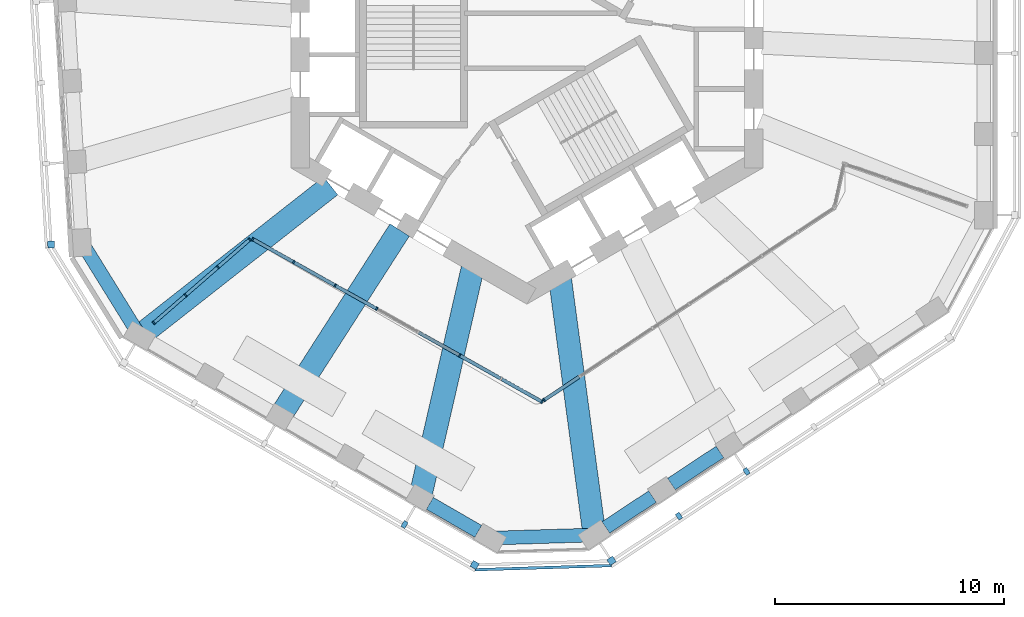
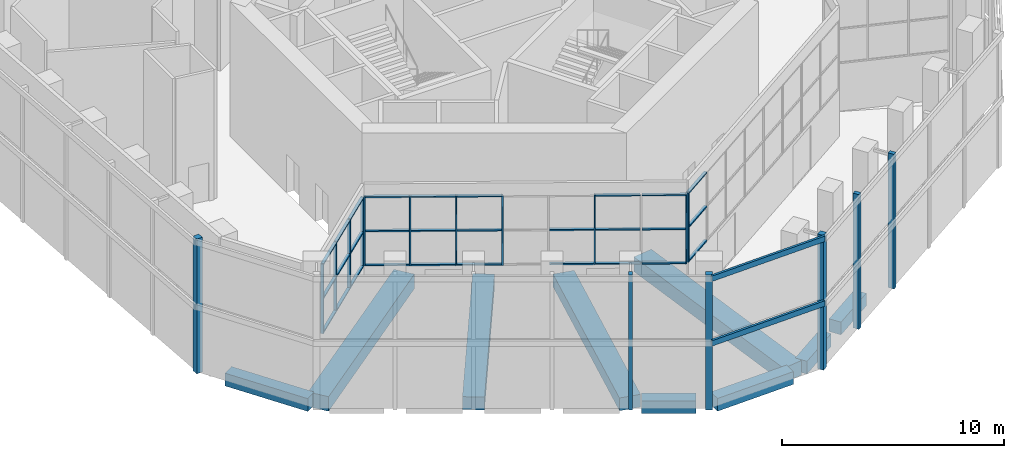
# One storey, part 2 of 17: 48 members, 9 beams, 7 elements without a shape of their own.
"""IFC4 building model written with IfcOpenShell, lengths in metres."""

from ifc_helpers import new_model, si_unit, direction, frame, origin, origin_2d, place, context, subcontext, project, spatial, rectangle, extrude, material, material_profile, profile_set, type_object, element, aggregate, save


model = new_model("IFC4")

# Units and contexts
model_context = context("Model", 3, precision=1e-05, world=origin(), true_north=direction((0.0, 1.0)))
body_context = subcontext(model_context, "Body", "Model", "MODEL_VIEW")
ifc_project = project(units=[si_unit("LENGTHUNIT", "METRE"), si_unit("AREAUNIT", "SQUARE_METRE"), si_unit("VOLUMEUNIT", "CUBIC_METRE"), si_unit("PLANEANGLEUNIT", "RADIAN"), si_unit("MASSUNIT", "GRAM", prefix="KILO")], contexts=[model_context])

# Site, building, storey
site_placement = place(None, origin())
site = spatial("IfcSite", under=ifc_project, at=site_placement, CompositionType="ELEMENT")
building_placement = place(site_placement, origin())
building = spatial("IfcBuilding", under=site, at=building_placement, Name="Vanh Sen Convention Tower", CompositionType="ELEMENT")
storey_placement = place(building_placement, frame((0.0, 0.0, 214.300048828125)))
storey = spatial("IfcBuildingStorey", under=building, at=storey_placement, Name="L53", CompositionType="ELEMENT", Elevation=214.300048828125)

# Curtain wall, member
ifc_material_1 = material(Name="Aluminium structural glazing system", Category="aluminium")
curtain_wall_type_1 = type_object("IfcCurtainWallType", Name="Sky garden structural glazing", PredefinedType="NOTDEFINED", material=ifc_material_1)
curtain_wall_1_placement = place(storey_placement, origin())
curtain_wall_1 = element("IfcCurtainWall", 1, at=curtain_wall_1_placement, inside=storey, type_object=curtain_wall_type_1, Name="Winter garden glazing 3 L53", PredefinedType="NOTDEFINED")
ifc_material_2 = material(Name="Aluminium mullion", Category="aluminium")
ifc_material_profile_1 = material_profile(ifc_material_2, rectangle(XDim=0.14990234375, YDim=0.070068359375, at=origin_2d()), Name="Garden glazing mullion 70 x 150")
ifc_profile_set_1 = profile_set([ifc_material_profile_1], Name="Aluminium mullion")
member_type_1 = type_object("IfcMemberType", Name="Garden glazing mullion 70 x 150", PredefinedType="MULLION", material=ifc_profile_set_1)
member_1_placement = place(storey_placement, frame((0.753662109375, -16.080078125, 2.599853515625), z_axis=(0.0, 0.0, 1.0), x_axis=(0.551932223653, -0.833888973721, 0.0)))
member_1 = element("IfcMember", 2, at=member_1_placement, type_object=member_type_1, Name="CW5 mullion 9", PredefinedType="MULLION", context=body_context, shape_type="SweptSolid", body=[
    extrude(rectangle(XDim=0.14990234375, YDim=0.070068359375, at=origin_2d()), origin(), (0.0, 0.0, 1.0), 3.820068359375),
])

# Curtain wall, members
curtain_wall_2_placement = place(storey_placement, origin())
curtain_wall_2 = element("IfcCurtainWall", 3, at=curtain_wall_2_placement, inside=storey, type_object=curtain_wall_type_1, Name="Winter garden glazing 4 L53", PredefinedType="NOTDEFINED")
member_2_placement = place(storey_placement, frame((0.65966796875, -16.154052734375, 2.599853515625), z_axis=(0.0, 0.0, 1.0), x_axis=(-0.490119958968, -0.871654992426, 0.0)))
member_2 = element("IfcMember", 4, at=member_2_placement, type_object=member_type_1, Name="CW5 mullion 1", PredefinedType="MULLION", context=body_context, shape_type="SweptSolid", body=[
    extrude(rectangle(XDim=0.14990234375, YDim=0.070068359375, at=origin_2d()), origin(), (0.0, 0.0, 1.0), 3.820068359375),
])
member_3_placement = place(storey_placement, frame((-2.933837890625, -14.133544921875, 2.599853515625), z_axis=(0.0, 0.0, 1.0), x_axis=(-0.490119958968, -0.871654992426, 0.0)))
member_3 = element("IfcMember", 5, at=member_3_placement, type_object=member_type_1, Name="CW5 mullion 3", PredefinedType="MULLION", context=body_context, shape_type="SweptSolid", body=[
    extrude(rectangle(XDim=0.14990234375, YDim=0.070068359375, at=origin_2d()), origin(), (0.0, 0.0, 1.0), 3.820068359375),
])
member_4_placement = place(storey_placement, frame((-6.557861328125, -12.095703125, 2.599853515625), z_axis=(0.0, 0.0, 1.0), x_axis=(-0.490119958968, -0.871654992426, 0.0)))
member_4 = element("IfcMember", 6, at=member_4_placement, type_object=member_type_1, Name="CW5 mullion 5", PredefinedType="MULLION", context=body_context, shape_type="SweptSolid", body=[
    extrude(rectangle(XDim=0.14990234375, YDim=0.070068359375, at=origin_2d()), origin(), (0.0, 0.0, 1.0), 3.820068359375),
])
member_5_placement = place(storey_placement, frame((-8.369873046875, -11.076904296875, 2.599853515625), z_axis=(0.0, 0.0, 1.0), x_axis=(-0.490119958968, -0.871654992426, 0.0)))
member_5 = element("IfcMember", 7, at=member_5_placement, type_object=member_type_1, Name="CW5 mullion 6", PredefinedType="MULLION", context=body_context, shape_type="SweptSolid", body=[
    extrude(rectangle(XDim=0.14990234375, YDim=0.070068359375, at=origin_2d()), origin(), (0.0, 0.0, 1.0), 3.820068359375),
])
member_6_placement = place(storey_placement, frame((-10.181884765625, -10.057861328125, 2.599853515625), z_axis=(0.0, 0.0, 1.0), x_axis=(-0.490119958968, -0.871654992426, 0.0)))
member_6 = element("IfcMember", 8, at=member_6_placement, type_object=member_type_1, Name="CW5 mullion 7", PredefinedType="MULLION", context=body_context, shape_type="SweptSolid", body=[
    extrude(rectangle(XDim=0.14990234375, YDim=0.070068359375, at=origin_2d()), origin(), (0.0, 0.0, 1.0), 3.820068359375),
])
member_7_placement = place(storey_placement, frame((-11.96337890625, -9.05615234375, 2.599853515625), z_axis=(0.0, 0.0, 1.0), x_axis=(-0.490119958968, -0.871654992426, 0.0)))
member_7 = element("IfcMember", 9, at=member_7_placement, type_object=member_type_1, Name="CW5 mullion 8", PredefinedType="MULLION", context=body_context, shape_type="SweptSolid", body=[
    extrude(rectangle(XDim=0.14990234375, YDim=0.070068359375, at=origin_2d()), origin(), (0.0, 0.0, 1.0), 3.820068359375),
])

curtain_wall_3_placement = place(storey_placement, origin())
curtain_wall_3 = element("IfcCurtainWall", 10, at=curtain_wall_3_placement, inside=storey, type_object=curtain_wall_type_1, Name="Winter garden glazing 5 L53", PredefinedType="NOTDEFINED")
member_8_placement = place(storey_placement, frame((-12.09814453125, -9.070068359375, 2.599853515625), z_axis=(0.0, 0.0, 1.0), x_axis=(0.655958392755, -0.754797050189, 0.0)))
member_8 = element("IfcMember", 11, at=member_8_placement, type_object=member_type_1, Name="CW5 mullion 1", PredefinedType="MULLION", context=body_context, shape_type="SweptSolid", body=[
    extrude(rectangle(XDim=0.14990234375, YDim=0.070068359375, at=origin_2d()), origin(), (0.0, 0.0, 1.0), 3.820068359375),
])
member_9_placement = place(storey_placement, frame((-13.485595703125, -10.27587890625, 2.599853515625), z_axis=(0.0, 0.0, 1.0), x_axis=(0.655958392755, -0.754797050189, 0.0)))
member_9 = element("IfcMember", 12, at=member_9_placement, type_object=member_type_1, Name="CW5 mullion 2", PredefinedType="MULLION", context=body_context, shape_type="SweptSolid", body=[
    extrude(rectangle(XDim=0.14990234375, YDim=0.070068359375, at=origin_2d()), origin(), (0.0, 0.0, 1.0), 3.820068359375),
])
member_10_placement = place(storey_placement, frame((-14.8994140625, -11.50439453125, 2.599853515625), z_axis=(0.0, 0.0, 1.0), x_axis=(0.655958392755, -0.754797050189, 0.0)))
member_10 = element("IfcMember", 13, at=member_10_placement, type_object=member_type_1, Name="CW5 mullion 3", PredefinedType="MULLION", context=body_context, shape_type="SweptSolid", body=[
    extrude(rectangle(XDim=0.14990234375, YDim=0.070068359375, at=origin_2d()), origin(), (0.0, 0.0, 1.0), 3.820068359375),
])
member_11_placement = place(storey_placement, frame((-16.28662109375, -12.710205078125, 2.599853515625), z_axis=(0.0, 0.0, 1.0), x_axis=(0.655958392755, -0.754797050189, 0.0)))
member_11 = element("IfcMember", 14, at=member_11_placement, type_object=member_type_1, Name="CW5 mullion 4", PredefinedType="MULLION", context=body_context, shape_type="SweptSolid", body=[
    extrude(rectangle(XDim=0.14990234375, YDim=0.070068359375, at=origin_2d()), origin(), (0.0, 0.0, 1.0), 3.820068359375),
])

# Member
ifc_material_3 = material(Name="Aluminium transom", Category="aluminium")
ifc_material_profile_2 = material_profile(ifc_material_3, rectangle(XDim=0.14990234375, YDim=0.070068359375, at=origin_2d()), Name="Garden glazing transom 150 x 70")
ifc_profile_set_2 = profile_set([ifc_material_profile_2], Name="Aluminium transom")
member_type_2 = type_object("IfcMemberType", Name="Garden glazing transom 150 x 70", PredefinedType="USERDEFINED", material=ifc_profile_set_2)
member_12_placement = place(storey_placement, frame((2.28466796875, -15.06689453125, 2.635009765625), z_axis=(-0.833901925622, -0.551912654724, 0.0), x_axis=(0.551912654724, -0.833901925622, 0.0)))
member_12 = element("IfcMember", 15, at=member_12_placement, type_object=member_type_2, Name="CW5 transom 8.1", ObjectType="TRANSOM", PredefinedType="USERDEFINED", context=body_context, shape_type="SweptSolid", body=[
    extrude(rectangle(XDim=0.14990234375, YDim=0.070068359375, at=origin_2d()), origin(), (0.0, 0.0, 1.0), 1.80078125),
])

member_13_placement = place(storey_placement, frame((2.28466796875, -15.06689453125, 4.510009765625), z_axis=(-0.833901925622, -0.551912654724, 0.0), x_axis=(0.551912654724, -0.833901925622, 0.0)))
member_13 = element("IfcMember", 16, at=member_13_placement, type_object=member_type_2, Name="CW5 transom 8.2", ObjectType="TRANSOM", PredefinedType="USERDEFINED", context=body_context, shape_type="SweptSolid", body=[
    extrude(rectangle(XDim=0.14990234375, YDim=0.070068359375, at=origin_2d()), origin(), (0.0, 0.0, 1.0), 1.80078125),
])

member_14_placement = place(storey_placement, frame((2.28466796875, -15.06689453125, 6.385009765625), z_axis=(-0.833901925622, -0.551912654724, 0.0), x_axis=(0.551912654724, -0.833901925622, 0.0)))
member_14 = element("IfcMember", 17, at=member_14_placement, type_object=member_type_2, Name="CW5 transom 8.3", ObjectType="TRANSOM", PredefinedType="USERDEFINED", context=body_context, shape_type="SweptSolid", body=[
    extrude(rectangle(XDim=0.14990234375, YDim=0.070068359375, at=origin_2d()), origin(), (0.0, 0.0, 1.0), 1.80078125),
])

aggregate(curtain_wall_1, [member_1, member_12, member_13, member_14])

member_15_placement = place(storey_placement, frame((0.629150390625, -16.136962890625, 2.635009765625), z_axis=(-0.871625081037, 0.490173151149, 0.0), x_axis=(-0.490173151149, -0.871625081037, 0.0)))
member_15 = element("IfcMember", 18, at=member_15_placement, type_object=member_type_2, Name="CW5 transom 1.1", ObjectType="TRANSOM", PredefinedType="USERDEFINED", context=body_context, shape_type="SweptSolid", body=[
    extrude(rectangle(XDim=0.14990234375, YDim=0.070068359375, at=origin_2d()), origin(), (0.0, 0.0, 1.0), 1.973876953125),
])

member_16_placement = place(storey_placement, frame((0.629150390625, -16.136962890625, 4.510009765625), z_axis=(-0.871625081037, 0.490173151149, 0.0), x_axis=(-0.490173151149, -0.871625081037, 0.0)))
member_16 = element("IfcMember", 19, at=member_16_placement, type_object=member_type_2, Name="CW5 transom 1.2", ObjectType="TRANSOM", PredefinedType="USERDEFINED", context=body_context, shape_type="SweptSolid", body=[
    extrude(rectangle(XDim=0.14990234375, YDim=0.070068359375, at=origin_2d()), origin(), (0.0, 0.0, 1.0), 1.973876953125),
])

member_17_placement = place(storey_placement, frame((0.629150390625, -16.136962890625, 6.385009765625), z_axis=(-0.871625081037, 0.490173151149, 0.0), x_axis=(-0.490173151149, -0.871625081037, 0.0)))
member_17 = element("IfcMember", 20, at=member_17_placement, type_object=member_type_2, Name="CW5 transom 1.3", ObjectType="TRANSOM", PredefinedType="USERDEFINED", context=body_context, shape_type="SweptSolid", body=[
    extrude(rectangle(XDim=0.14990234375, YDim=0.070068359375, at=origin_2d()), origin(), (0.0, 0.0, 1.0), 1.973876953125),
])

member_18_placement = place(storey_placement, frame((-1.15234375, -15.13525390625, 2.635009765625), z_axis=(-0.871640443683, 0.490145832316, 0.0), x_axis=(-0.490145832316, -0.871640443683, 0.0)))
member_18 = element("IfcMember", 21, at=member_18_placement, type_object=member_type_2, Name="CW5 transom 2.1", ObjectType="TRANSOM", PredefinedType="USERDEFINED", context=body_context, shape_type="SweptSolid", body=[
    extrude(rectangle(XDim=0.14990234375, YDim=0.070068359375, at=origin_2d()), origin(), (0.0, 0.0, 1.0), 2.0087890625),
])

member_19_placement = place(storey_placement, frame((-1.15234375, -15.13525390625, 4.510009765625), z_axis=(-0.871640443683, 0.490145832316, 0.0), x_axis=(-0.490145832316, -0.871640443683, 0.0)))
member_19 = element("IfcMember", 22, at=member_19_placement, type_object=member_type_2, Name="CW5 transom 2.2", ObjectType="TRANSOM", PredefinedType="USERDEFINED", context=body_context, shape_type="SweptSolid", body=[
    extrude(rectangle(XDim=0.14990234375, YDim=0.070068359375, at=origin_2d()), origin(), (0.0, 0.0, 1.0), 2.0087890625),
])

member_20_placement = place(storey_placement, frame((-1.15234375, -15.13525390625, 6.385009765625), z_axis=(-0.871640443683, 0.490145832316, 0.0), x_axis=(-0.490145832316, -0.871640443683, 0.0)))
member_20 = element("IfcMember", 23, at=member_20_placement, type_object=member_type_2, Name="CW5 transom 2.3", ObjectType="TRANSOM", PredefinedType="USERDEFINED", context=body_context, shape_type="SweptSolid", body=[
    extrude(rectangle(XDim=0.14990234375, YDim=0.070068359375, at=origin_2d()), origin(), (0.0, 0.0, 1.0), 2.0087890625),
])

member_21_placement = place(storey_placement, frame((-2.96435546875, -14.1162109375, 2.635009765625), z_axis=(-0.871692364884, 0.490053487899, 0.0), x_axis=(-0.490053487899, -0.871692364884, 0.0)))
member_21 = element("IfcMember", 24, at=member_21_placement, type_object=member_type_2, Name="CW5 transom 3.1", ObjectType="TRANSOM", PredefinedType="USERDEFINED", context=body_context, shape_type="SweptSolid", body=[
    extrude(rectangle(XDim=0.14990234375, YDim=0.070068359375, at=origin_2d()), origin(), (0.0, 0.0, 1.0), 2.0087890625),
])

member_22_placement = place(storey_placement, frame((-2.96435546875, -14.1162109375, 4.510009765625), z_axis=(-0.871692364884, 0.490053487899, 0.0), x_axis=(-0.490053487899, -0.871692364884, 0.0)))
member_22 = element("IfcMember", 25, at=member_22_placement, type_object=member_type_2, Name="CW5 transom 3.2", ObjectType="TRANSOM", PredefinedType="USERDEFINED", context=body_context, shape_type="SweptSolid", body=[
    extrude(rectangle(XDim=0.14990234375, YDim=0.070068359375, at=origin_2d()), origin(), (0.0, 0.0, 1.0), 2.0087890625),
])

member_23_placement = place(storey_placement, frame((-6.58837890625, -12.07861328125, 2.635009765625), z_axis=(-0.871640443683, 0.490145832316, 0.0), x_axis=(-0.490145832316, -0.871640443683, 0.0)))
member_23 = element("IfcMember", 26, at=member_23_placement, type_object=member_type_2, Name="CW5 transom 5.1", ObjectType="TRANSOM", PredefinedType="USERDEFINED", context=body_context, shape_type="SweptSolid", body=[
    extrude(rectangle(XDim=0.14990234375, YDim=0.070068359375, at=origin_2d()), origin(), (0.0, 0.0, 1.0), 2.0087890625),
])

member_24_placement = place(storey_placement, frame((-6.58837890625, -12.07861328125, 4.510009765625), z_axis=(-0.871640443683, 0.490145832316, 0.0), x_axis=(-0.490145832316, -0.871640443683, 0.0)))
member_24 = element("IfcMember", 27, at=member_24_placement, type_object=member_type_2, Name="CW5 transom 5.2", ObjectType="TRANSOM", PredefinedType="USERDEFINED", context=body_context, shape_type="SweptSolid", body=[
    extrude(rectangle(XDim=0.14990234375, YDim=0.070068359375, at=origin_2d()), origin(), (0.0, 0.0, 1.0), 2.0087890625),
])

member_25_placement = place(storey_placement, frame((-6.58837890625, -12.07861328125, 6.385009765625), z_axis=(-0.871640443683, 0.490145832316, 0.0), x_axis=(-0.490145832316, -0.871640443683, 0.0)))
member_25 = element("IfcMember", 28, at=member_25_placement, type_object=member_type_2, Name="CW5 transom 5.3", ObjectType="TRANSOM", PredefinedType="USERDEFINED", context=body_context, shape_type="SweptSolid", body=[
    extrude(rectangle(XDim=0.14990234375, YDim=0.070068359375, at=origin_2d()), origin(), (0.0, 0.0, 1.0), 2.0087890625),
])

member_26_placement = place(storey_placement, frame((-8.400390625, -11.0595703125, 2.635009765625), z_axis=(-0.871692364884, 0.490053487899, 0.0), x_axis=(-0.490053487899, -0.871692364884, 0.0)))
member_26 = element("IfcMember", 29, at=member_26_placement, type_object=member_type_2, Name="CW5 transom 6.1", ObjectType="TRANSOM", PredefinedType="USERDEFINED", context=body_context, shape_type="SweptSolid", body=[
    extrude(rectangle(XDim=0.14990234375, YDim=0.070068359375, at=origin_2d()), origin(), (0.0, 0.0, 1.0), 2.0087890625),
])

member_27_placement = place(storey_placement, frame((-8.400390625, -11.0595703125, 4.510009765625), z_axis=(-0.871692364884, 0.490053487899, 0.0), x_axis=(-0.490053487899, -0.871692364884, 0.0)))
member_27 = element("IfcMember", 30, at=member_27_placement, type_object=member_type_2, Name="CW5 transom 6.2", ObjectType="TRANSOM", PredefinedType="USERDEFINED", context=body_context, shape_type="SweptSolid", body=[
    extrude(rectangle(XDim=0.14990234375, YDim=0.070068359375, at=origin_2d()), origin(), (0.0, 0.0, 1.0), 2.0087890625),
])

member_28_placement = place(storey_placement, frame((-8.400390625, -11.0595703125, 6.385009765625), z_axis=(-0.871692364884, 0.490053487899, 0.0), x_axis=(-0.490053487899, -0.871692364884, 0.0)))
member_28 = element("IfcMember", 31, at=member_28_placement, type_object=member_type_2, Name="CW5 transom 6.3", ObjectType="TRANSOM", PredefinedType="USERDEFINED", context=body_context, shape_type="SweptSolid", body=[
    extrude(rectangle(XDim=0.14990234375, YDim=0.070068359375, at=origin_2d()), origin(), (0.0, 0.0, 1.0), 2.0087890625),
])

member_29_placement = place(storey_placement, frame((-10.21240234375, -10.040771484375, 2.635009765625), z_axis=(-0.871707628208, 0.490026336969, 0.0), x_axis=(-0.490026336969, -0.871707628208, 0.0)))
member_29 = element("IfcMember", 32, at=member_29_placement, type_object=member_type_2, Name="CW5 transom 7.1", ObjectType="TRANSOM", PredefinedType="USERDEFINED", context=body_context, shape_type="SweptSolid", body=[
    extrude(rectangle(XDim=0.14990234375, YDim=0.070068359375, at=origin_2d()), origin(), (0.0, 0.0, 1.0), 1.973876953125),
])

member_30_placement = place(storey_placement, frame((-10.21240234375, -10.040771484375, 4.510009765625), z_axis=(-0.871707628208, 0.490026336969, 0.0), x_axis=(-0.490026336969, -0.871707628208, 0.0)))
member_30 = element("IfcMember", 33, at=member_30_placement, type_object=member_type_2, Name="CW5 transom 7.2", ObjectType="TRANSOM", PredefinedType="USERDEFINED", context=body_context, shape_type="SweptSolid", body=[
    extrude(rectangle(XDim=0.14990234375, YDim=0.070068359375, at=origin_2d()), origin(), (0.0, 0.0, 1.0), 1.973876953125),
])

member_31_placement = place(storey_placement, frame((-10.21240234375, -10.040771484375, 6.385009765625), z_axis=(-0.871707628208, 0.490026336969, 0.0), x_axis=(-0.490026336969, -0.871707628208, 0.0)))
member_31 = element("IfcMember", 34, at=member_31_placement, type_object=member_type_2, Name="CW5 transom 7.3", ObjectType="TRANSOM", PredefinedType="USERDEFINED", context=body_context, shape_type="SweptSolid", body=[
    extrude(rectangle(XDim=0.14990234375, YDim=0.070068359375, at=origin_2d()), origin(), (0.0, 0.0, 1.0), 1.973876953125),
])

aggregate(curtain_wall_2, [member_2, member_3, member_4, member_5, member_6, member_7, member_15, member_16, member_17, member_18, member_19, member_20, member_21, member_22, member_23, member_24, member_25, member_26, member_27, member_28, member_29, member_30, member_31])

member_32_placement = place(storey_placement, frame((-12.12451171875, -9.093017578125, 2.635009765625), z_axis=(-0.754745220009, -0.656018027857, 0.0), x_axis=(0.656018027857, -0.754745220009, 0.0)))
member_32 = element("IfcMember", 35, at=member_32_placement, type_object=member_type_2, Name="CW5 transom 1.1", ObjectType="TRANSOM", PredefinedType="USERDEFINED", context=body_context, shape_type="SweptSolid", body=[
    extrude(rectangle(XDim=0.14990234375, YDim=0.070068359375, at=origin_2d()), origin(), (0.0, 0.0, 1.0), 1.76806640625),
])

member_33_placement = place(storey_placement, frame((-12.12451171875, -9.093017578125, 4.510009765625), z_axis=(-0.754745220009, -0.656018027857, 0.0), x_axis=(0.656018027857, -0.754745220009, 0.0)))
member_33 = element("IfcMember", 36, at=member_33_placement, type_object=member_type_2, Name="CW5 transom 1.2", ObjectType="TRANSOM", PredefinedType="USERDEFINED", context=body_context, shape_type="SweptSolid", body=[
    extrude(rectangle(XDim=0.14990234375, YDim=0.070068359375, at=origin_2d()), origin(), (0.0, 0.0, 1.0), 1.76806640625),
])

member_34_placement = place(storey_placement, frame((-12.12451171875, -9.093017578125, 6.385009765625), z_axis=(-0.754745220009, -0.656018027857, 0.0), x_axis=(0.656018027857, -0.754745220009, 0.0)))
member_34 = element("IfcMember", 37, at=member_34_placement, type_object=member_type_2, Name="CW5 transom 1.3", ObjectType="TRANSOM", PredefinedType="USERDEFINED", context=body_context, shape_type="SweptSolid", body=[
    extrude(rectangle(XDim=0.14990234375, YDim=0.070068359375, at=origin_2d()), origin(), (0.0, 0.0, 1.0), 1.76806640625),
])

member_35_placement = place(storey_placement, frame((-13.511962890625, -10.298828125, 2.635009765625), z_axis=(-0.754803727259, -0.655950709516, 0.0), x_axis=(0.655950709516, -0.754803727259, 0.0)))
member_35 = element("IfcMember", 38, at=member_35_placement, type_object=member_type_2, Name="CW5 transom 2.1", ObjectType="TRANSOM", PredefinedType="USERDEFINED", context=body_context, shape_type="SweptSolid", body=[
    extrude(rectangle(XDim=0.14990234375, YDim=0.070068359375, at=origin_2d()), origin(), (0.0, 0.0, 1.0), 1.802978515625),
])

member_36_placement = place(storey_placement, frame((-13.511962890625, -10.298828125, 4.510009765625), z_axis=(-0.754803727259, -0.655950709516, 0.0), x_axis=(0.655950709516, -0.754803727259, 0.0)))
member_36 = element("IfcMember", 39, at=member_36_placement, type_object=member_type_2, Name="CW5 transom 2.2", ObjectType="TRANSOM", PredefinedType="USERDEFINED", context=body_context, shape_type="SweptSolid", body=[
    extrude(rectangle(XDim=0.14990234375, YDim=0.070068359375, at=origin_2d()), origin(), (0.0, 0.0, 1.0), 1.802978515625),
])

member_37_placement = place(storey_placement, frame((-13.511962890625, -10.298828125, 6.385009765625), z_axis=(-0.754803727259, -0.655950709516, 0.0), x_axis=(0.655950709516, -0.754803727259, 0.0)))
member_37 = element("IfcMember", 40, at=member_37_placement, type_object=member_type_2, Name="CW5 transom 2.3", ObjectType="TRANSOM", PredefinedType="USERDEFINED", context=body_context, shape_type="SweptSolid", body=[
    extrude(rectangle(XDim=0.14990234375, YDim=0.070068359375, at=origin_2d()), origin(), (0.0, 0.0, 1.0), 1.802978515625),
])

member_38_placement = place(storey_placement, frame((-14.92578125, -11.52734375, 2.635009765625), z_axis=(-0.754745220009, -0.656018027857, 0.0), x_axis=(0.656018027857, -0.754745220009, 0.0)))
member_38 = element("IfcMember", 41, at=member_38_placement, type_object=member_type_2, Name="CW5 transom 3.1", ObjectType="TRANSOM", PredefinedType="USERDEFINED", context=body_context, shape_type="SweptSolid", body=[
    extrude(rectangle(XDim=0.14990234375, YDim=0.070068359375, at=origin_2d()), origin(), (0.0, 0.0, 1.0), 1.76806640625),
])

member_39_placement = place(storey_placement, frame((-14.92578125, -11.52734375, 4.510009765625), z_axis=(-0.754745220009, -0.656018027857, 0.0), x_axis=(0.656018027857, -0.754745220009, 0.0)))
member_39 = element("IfcMember", 42, at=member_39_placement, type_object=member_type_2, Name="CW5 transom 3.2", ObjectType="TRANSOM", PredefinedType="USERDEFINED", context=body_context, shape_type="SweptSolid", body=[
    extrude(rectangle(XDim=0.14990234375, YDim=0.070068359375, at=origin_2d()), origin(), (0.0, 0.0, 1.0), 1.76806640625),
])

member_40_placement = place(storey_placement, frame((-14.92578125, -11.52734375, 6.385009765625), z_axis=(-0.754745220009, -0.656018027857, 0.0), x_axis=(0.656018027857, -0.754745220009, 0.0)))
member_40 = element("IfcMember", 43, at=member_40_placement, type_object=member_type_2, Name="CW5 transom 3.3", ObjectType="TRANSOM", PredefinedType="USERDEFINED", context=body_context, shape_type="SweptSolid", body=[
    extrude(rectangle(XDim=0.14990234375, YDim=0.070068359375, at=origin_2d()), origin(), (0.0, 0.0, 1.0), 1.76806640625),
])

aggregate(curtain_wall_3, [member_8, member_9, member_10, member_11, member_32, member_33, member_34, member_35, member_36, member_37, member_38, member_39, member_40])

# Curtain wall, member
ifc_material_4 = material(Name="Concrete C50/60", Category="concrete")
curtain_wall_type_2 = type_object("IfcCurtainWallType", Name="Outer skin office zone", PredefinedType="NOTDEFINED", material=ifc_material_4)
curtain_wall_4_placement = place(storey_placement, origin())
curtain_wall_4 = element("IfcCurtainWall", 44, at=curtain_wall_4_placement, inside=storey, type_object=curtain_wall_type_2, Name="OUTER SKIN W L53", PredefinedType="NOTDEFINED")
ifc_material_profile_3 = material_profile(ifc_material_4, rectangle(XDim=0.300048828125, YDim=0.300048828125, at=origin_2d()), Name="Outer skin precast corner fin 300 x 300")
ifc_profile_set_3 = profile_set([ifc_material_profile_3], Name="Concrete C50/60")
member_type_3 = type_object("IfcMemberType", Name="Outer skin precast corner fin 300 x 300", PredefinedType="MULLION", material=ifc_profile_set_3)
member_41_placement = place(storey_placement, frame((-20.771728515625, -9.2880859375, 0.0), z_axis=(0.0, 0.0, 1.0), x_axis=(0.061048539535, -0.998134798422, 0.0)))
member_41 = element("IfcMember", 45, at=member_41_placement, type_object=member_type_3, Name="OUTER SKIN CORNER FIN 6 W L53", PredefinedType="MULLION", context=body_context, shape_type="SweptSolid", body=[
    extrude(rectangle(XDim=0.300048828125, YDim=0.300048828125, at=origin_2d()), origin(), (0.0, 0.0, 1.0), 7.39990234375),
])
aggregate(curtain_wall_4, [member_41])

curtain_wall_5_placement = place(storey_placement, origin())
curtain_wall_5 = element("IfcCurtainWall", 46, at=curtain_wall_5_placement, inside=storey, type_object=curtain_wall_type_2, Name="OUTER SKIN SW L53", PredefinedType="NOTDEFINED")
member_42_placement = place(storey_placement, frame((-2.279541015625, -23.279052734375, 0.0), z_axis=(0.0, 0.0, 1.0), x_axis=(0.866025403784, -0.5, 0.0)))
member_42 = element("IfcMember", 47, at=member_42_placement, type_object=member_type_3, Name="OUTER SKIN CORNER FIN 6 SW L53", PredefinedType="MULLION", context=body_context, shape_type="SweptSolid", body=[
    extrude(rectangle(XDim=0.300048828125, YDim=0.300048828125, at=origin_2d()), origin(), (0.0, 0.0, 1.0), 7.39990234375),
])

curtain_wall_6_placement = place(storey_placement, origin())
curtain_wall_6 = element("IfcCurtainWall", 48, at=curtain_wall_6_placement, inside=storey, type_object=curtain_wall_type_2, Name="OUTER SKIN SE L53", PredefinedType="NOTDEFINED")
member_43_placement = place(storey_placement, frame((3.6962890625, -23.096435546875, 0.0), z_axis=(0.0, 0.0, 1.0), x_axis=(0.833885822067, 0.551936985312, 0.0)))
member_43 = element("IfcMember", 49, at=member_43_placement, type_object=member_type_3, Name="OUTER SKIN CORNER FIN 1 SE L53", PredefinedType="MULLION", context=body_context, shape_type="SweptSolid", body=[
    extrude(rectangle(XDim=0.300048828125, YDim=0.300048828125, at=origin_2d()), origin(), (0.0, 0.0, 1.0), 7.39990234375),
])

# Member
ifc_material_profile_4 = material_profile(ifc_material_4, rectangle(XDim=0.199951171875, YDim=0.300048828125, at=origin_2d()), Name="Outer skin precast fin 200 x 300")
ifc_profile_set_4 = profile_set([ifc_material_profile_4], Name="Concrete C50/60")
member_type_4 = type_object("IfcMemberType", Name="Outer skin precast fin 200 x 300", PredefinedType="MULLION", material=ifc_profile_set_4)
member_44_placement = place(storey_placement, frame((-5.33984375, -21.51220703125, 0.0), z_axis=(0.0, 0.0, 1.0), x_axis=(0.866025403784, -0.5, 0.0)))
member_44 = element("IfcMember", 50, at=member_44_placement, type_object=member_type_4, Name="OUTER SKIN fin 5 SW L53", PredefinedType="MULLION", context=body_context, shape_type="SweptSolid", body=[
    extrude(rectangle(XDim=0.199951171875, YDim=0.300048828125, at=origin_2d()), origin(), (0.0, 0.0, 1.0), 7.39990234375),
])

aggregate(curtain_wall_5, [member_44, member_42])

member_45_placement = place(storey_placement, frame((6.64306640625, -21.14599609375, 0.0), z_axis=(0.0, 0.0, 1.0), x_axis=(0.833885822067, 0.551936985312, 0.0)))
member_45 = element("IfcMember", 51, at=member_45_placement, type_object=member_type_4, Name="OUTER SKIN fin 2 SE L53", PredefinedType="MULLION", context=body_context, shape_type="SweptSolid", body=[
    extrude(rectangle(XDim=0.199951171875, YDim=0.300048828125, at=origin_2d()), origin(), (0.0, 0.0, 1.0), 7.39990234375),
])

member_46_placement = place(storey_placement, frame((9.589599609375, -19.19580078125, 0.0), z_axis=(0.0, 0.0, 1.0), x_axis=(0.833885822067, 0.551936985312, 0.0)))
member_46 = element("IfcMember", 52, at=member_46_placement, type_object=member_type_4, Name="OUTER SKIN fin 3 SE L53", PredefinedType="MULLION", context=body_context, shape_type="SweptSolid", body=[
    extrude(rectangle(XDim=0.199951171875, YDim=0.300048828125, at=origin_2d()), origin(), (0.0, 0.0, 1.0), 7.39990234375),
])

aggregate(curtain_wall_6, [member_43, member_45, member_46])

# Curtain wall, members
curtain_wall_7_placement = place(storey_placement, origin())
curtain_wall_7 = element("IfcCurtainWall", 53, at=curtain_wall_7_placement, inside=storey, type_object=curtain_wall_type_2, Name="OUTER SKIN CH5 L53", PredefinedType="NOTDEFINED")
ifc_material_profile_5 = material_profile(ifc_material_4, rectangle(XDim=0.1201171875, YDim=0.300048828125, at=origin_2d()), Name="Outer skin precast spandrel band 300 x 120")
ifc_profile_set_5 = profile_set([ifc_material_profile_5], Name="Concrete C50/60")
member_type_5 = type_object("IfcMemberType", Name="Outer skin precast spandrel band 300 x 120", PredefinedType="USERDEFINED", material=ifc_profile_set_5)
member_47_placement = place(storey_placement, frame((-2.273193359375, -23.489013671875, 7.25), z_axis=(0.99953342946, 0.030543794642, 0.0), x_axis=(-0.030543794642, 0.99953342946, 0.0)))
member_47 = element("IfcMember", 54, at=member_47_placement, type_object=member_type_5, Name="OUTER SKIN spandrel band CH5 L53", ObjectType="TRANSOM", PredefinedType="USERDEFINED", context=body_context, shape_type="SweptSolid", body=[
    extrude(rectangle(XDim=0.1201171875, YDim=0.300048828125, at=origin_2d()), origin(), (0.0, 0.0, 1.0), 5.978759765625),
])
member_48_placement = place(storey_placement, frame((-2.273193359375, -23.489013671875, 3.699951171875), z_axis=(0.99953342946, 0.030543794642, 0.0), x_axis=(-0.030543794642, 0.99953342946, 0.0)))
member_48 = element("IfcMember", 55, at=member_48_placement, type_object=member_type_5, Name="OUTER SKIN spandrel band CH5 L53 mid", ObjectType="TRANSOM", PredefinedType="USERDEFINED", context=body_context, shape_type="SweptSolid", body=[
    extrude(rectangle(XDim=0.1201171875, YDim=0.300048828125, at=origin_2d()), origin(), (0.0, 0.0, 1.0), 5.978759765625),
])
aggregate(curtain_wall_7, [member_47, member_48])

# Beams
ifc_material_5 = material(Name="Concrete C50/60", Category="concrete")
ifc_material_profile_6 = material_profile(ifc_material_5, rectangle(XDim=1.0, YDim=0.699951171875, at=origin_2d()), Name="RC 1000X700")
ifc_profile_set_6 = profile_set([ifc_material_profile_6], Name="Concrete C50/60")
beam_type_1 = type_object("IfcBeamType", Name="Radial floor beam 1000 x 700", PredefinedType="BEAM", material=ifc_profile_set_6)
beam_1_placement = place(storey_placement, frame((-10.78173828125, -16.803955078125, -0.699951171875), z_axis=(0.540015696962, 0.841654945351, 0.0), x_axis=(-0.841654945351, 0.540015696962, 0.0)))
element("IfcBeam", 56, at=beam_1_placement, inside=storey, type_object=beam_type_1, Name="Radial beam 14 L53", PredefinedType="BEAM", context=body_context, shape_type="SweptSolid", body=[
    extrude(rectangle(XDim=1.0, YDim=0.699951171875, at=origin_2d()), origin(), (0.0, 0.0, 1.0), 9.6826171875),
])
beam_2_placement = place(storey_placement, frame((-4.649169921875, -20.27490234375, -0.699951171875), z_axis=(0.223519929805, 0.97469935928, 0.0), x_axis=(-0.97469935928, 0.223519929805, 0.0)))
element("IfcBeam", 57, at=beam_2_placement, inside=storey, type_object=beam_type_1, Name="Radial beam 15 L53", PredefinedType="BEAM", context=body_context, shape_type="SweptSolid", body=[
    extrude(rectangle(XDim=1.0, YDim=0.699951171875, at=origin_2d()), origin(), (0.0, 0.0, 1.0), 10.18408203125),
])
ifc_material_profile_7 = material_profile(ifc_material_5, rectangle(XDim=1.0, YDim=0.800048828125, at=origin_2d()), Name="RC 1000X800")
ifc_profile_set_7 = profile_set([ifc_material_profile_7], Name="Concrete C50/60")
beam_type_2 = type_object("IfcBeamType", Name="Radial floor beam 1000 x 800", PredefinedType="BEAM", material=ifc_profile_set_7)
beam_3_placement = place(storey_placement, frame((-16.728271484375, -13.13671875, -0.75), z_axis=(0.786480763705, 0.6176147734, 0.0), x_axis=(-0.6176147734, 0.786480763705, 0.0)))
element("IfcBeam", 58, at=beam_3_placement, inside=storey, type_object=beam_type_2, Name="Radial beam 13 L53", PredefinedType="BEAM", context=body_context, shape_type="SweptSolid", body=[
    extrude(rectangle(XDim=1.0, YDim=0.800048828125, at=origin_2d()), origin(), (0.0, 0.0, 1.0), 10.377685546875),
])
beam_4_placement = place(storey_placement, frame((2.925048828125, -21.775146484375, -0.75), z_axis=(-0.133135191272, 0.991097886611, 0.0), x_axis=(-0.991097886611, -0.133135191272, 0.0)))
element("IfcBeam", 59, at=beam_4_placement, inside=storey, type_object=beam_type_2, Name="Radial beam 16 L53", PredefinedType="BEAM", context=body_context, shape_type="SweptSolid", body=[
    extrude(rectangle(XDim=1.0, YDim=0.800048828125, at=origin_2d()), origin(), (0.0, 0.0, 1.0), 11.044921875),
])
ifc_material_profile_8 = material_profile(ifc_material_5, rectangle(XDim=0.60009765625, YDim=0.699951171875, at=origin_2d()), Name="RC 600X700")
ifc_profile_set_8 = profile_set([ifc_material_profile_8], Name="Concrete C50/60")
beam_type_3 = type_object("IfcBeamType", Name="Spandrel beam 600 x 700", PredefinedType="SPANDREL", material=ifc_profile_set_8)
beam_5_placement = place(storey_placement, frame((-19.27587890625, -9.4453125, -0.699951171875), z_axis=(0.526189400691, -0.850367399775, 0.0), x_axis=(0.850367399775, 0.526189400691, 0.0)))
element("IfcBeam", 60, at=beam_5_placement, inside=storey, type_object=beam_type_3, Name="Spandrel beam 24 L53", PredefinedType="SPANDREL", context=body_context, shape_type="SweptSolid", body=[
    extrude(rectangle(XDim=0.60009765625, YDim=0.699951171875, at=origin_2d()), origin(), (0.0, 0.0, 1.0), 4.22265625),
])
beam_6_placement = place(storey_placement, frame((-4.236083984375, -20.590576171875, -0.699951171875), z_axis=(0.866002566612, -0.500039553057, 0.0), x_axis=(0.500039553057, 0.866002566612, 0.0)))
element("IfcBeam", 61, at=beam_6_placement, inside=storey, type_object=beam_type_3, Name="Spandrel beam 29 L53", PredefinedType="SPANDREL", context=body_context, shape_type="SweptSolid", body=[
    extrude(rectangle(XDim=0.60009765625, YDim=0.699951171875, at=origin_2d()), origin(), (0.0, 0.0, 1.0), 2.443603515625),
])
beam_7_placement = place(storey_placement, frame((-1.334228515625, -22.1015625, -0.699951171875), z_axis=(0.999534520308, 0.030508076196, 0.0), x_axis=(-0.030508076196, 0.999534520308, 0.0)))
element("IfcBeam", 62, at=beam_7_placement, inside=storey, type_object=beam_type_3, Name="Spandrel beam 30 L53", PredefinedType="SPANDREL", context=body_context, shape_type="SweptSolid", body=[
    extrude(rectangle(XDim=0.60009765625, YDim=0.699951171875, at=origin_2d()), origin(), (0.0, 0.0, 1.0), 4.017333984375),
])
beam_8_placement = place(storey_placement, frame((3.447509765625, -21.642333984375, -0.699951171875), z_axis=(0.833890277806, 0.551930253367, 0.0), x_axis=(-0.551930253367, 0.833890277806, 0.0)))
element("IfcBeam", 63, at=beam_8_placement, inside=storey, type_object=beam_type_3, Name="Spandrel beam 31 L53", PredefinedType="SPANDREL", context=body_context, shape_type="SweptSolid", body=[
    extrude(rectangle(XDim=0.60009765625, YDim=0.699951171875, at=origin_2d()), origin(), (0.0, 0.0, 1.0), 2.443603515625),
])
beam_9_placement = place(storey_placement, frame((6.310791015625, -19.747314453125, -0.699951171875), z_axis=(0.833862044683, 0.55197290734, 0.0), x_axis=(-0.55197290734, 0.833862044683, 0.0)))
element("IfcBeam", 64, at=beam_9_placement, inside=storey, type_object=beam_type_3, Name="Spandrel beam 32 L53", PredefinedType="SPANDREL", context=body_context, shape_type="SweptSolid", body=[
    extrude(rectangle(XDim=0.60009765625, YDim=0.699951171875, at=origin_2d()), origin(), (0.0, 0.0, 1.0), 2.543701171875),
])

save(model, "model.ifc")
